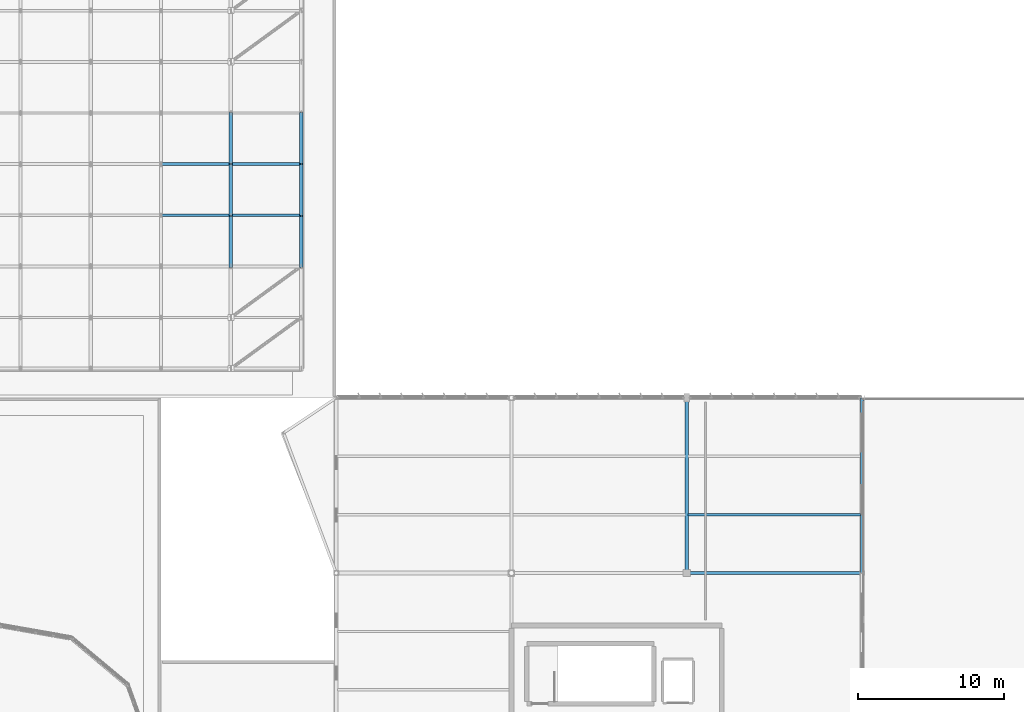
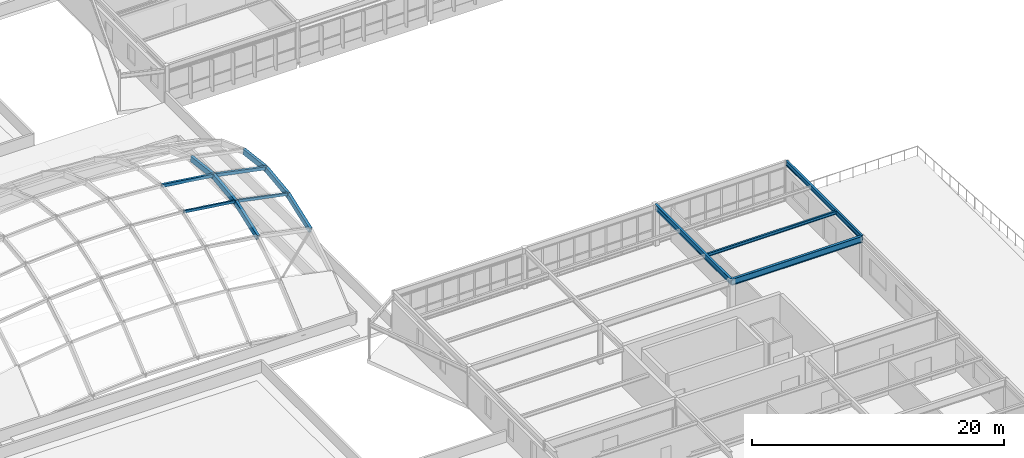
# One storey, part 59 of 128: 10 members, 4 beams.
"""IFC4 building model written with IfcOpenShell, lengths in metres."""

from ifc_helpers import new_model, si_unit, direction, frame, origin, origin_2d, place, context, subcontext, project, spatial, rectangle, hollow_rectangle, i_section, extrude, material, material_profile, profile_set, type_object, element, save


model = new_model("IFC4")

# Units and contexts
model_context = context("Model", 3, precision=1e-05, world=origin(), true_north=direction((0.0, 1.0)))
body_context = subcontext(model_context, "Body", "Model", "MODEL_VIEW")
ifc_project = project(units=[si_unit("LENGTHUNIT", "METRE"), si_unit("AREAUNIT", "SQUARE_METRE"), si_unit("VOLUMEUNIT", "CUBIC_METRE"), si_unit("PLANEANGLEUNIT", "RADIAN"), si_unit("MASSUNIT", "GRAM", prefix="KILO")], contexts=[model_context])

# Site, building, storey
site_placement = place(None, origin())
site = spatial("IfcSite", under=ifc_project, at=site_placement, CompositionType="ELEMENT")
building_placement = place(site_placement, origin())
building = spatial("IfcBuilding", under=site, at=building_placement, Name="Tarnwether General Hospital", CompositionType="ELEMENT")
storey_placement = place(building_placement, frame((0.0, 0.0, 14.39990234375)))
storey = spatial("IfcBuildingStorey", under=building, at=storey_placement, Name="L03", CompositionType="ELEMENT", Elevation=14.39990234375)

# Beams
ifc_material_1 = material(Name="Steel Grade 350 (350 MPa)", Category="steel")
ifc_material_profile_1 = material_profile(ifc_material_1, i_section(OverallWidth=0.22802734375, OverallDepth=0.60693359375, WebThickness=0.01123046875, FlangeThickness=0.017333984375, at=origin_2d()), Name="610UB113")
ifc_profile_set_1 = profile_set([ifc_material_profile_1], Name="Steel Grade 350 (350 MPa)")
beam_type_1 = type_object("IfcBeamType", Name="BM-G04", PredefinedType="BEAM", material=ifc_profile_set_1)
beam_1_placement = place(storey_placement, frame((168.0, 33.60009765625, 3.5966796875), z_axis=(1.0, 0.0, 0.0), x_axis=(0.0, 1.0, 0.0)))
element("IfcBeam", 1, at=beam_1_placement, inside=storey, type_object=beam_type_1, Name="Primary Girder BMG-L03-16800_3360-18000_3360-1795", PredefinedType="BEAM", context=body_context, shape_type="SweptSolid", body=[
    extrude(i_section(OverallWidth=0.22802734375, OverallDepth=0.60693359375, WebThickness=0.01123046875, FlangeThickness=0.017333984375, at=origin_2d()), origin(), (0.0, 0.0, 1.0), 12.0),
])
ifc_material_2 = material(Name="Steel Grade 350 (350 MPa)", Category="steel")
ifc_material_profile_2 = material_profile(ifc_material_2, i_section(OverallWidth=0.208984375, OverallDepth=0.528076171875, WebThickness=0.009521484375, FlangeThickness=0.01318359375, at=origin_2d()), Name="530UB82.0")
ifc_profile_set_2 = profile_set([ifc_material_profile_2], Name="Steel Grade 350 (350 MPa)")
beam_type_2 = type_object("IfcBeamType", Name="BM-G07", PredefinedType="BEAM", material=ifc_profile_set_2)
beam_2_placement = place(storey_placement, frame((168.0, 33.60009765625, 3.635986328125), z_axis=(0.0, 1.0, 0.0), x_axis=(-1.0, 0.0, 0.0)))
element("IfcBeam", 2, at=beam_2_placement, inside=storey, type_object=beam_type_2, Name="Primary Girder BMG-L03-16800_3360-16800_4560-1796", PredefinedType="BEAM", context=body_context, shape_type="SweptSolid", body=[
    extrude(i_section(OverallWidth=0.208984375, OverallDepth=0.528076171875, WebThickness=0.009521484375, FlangeThickness=0.01318359375, at=origin_2d()), origin(), (0.0, 0.0, 1.0), 12.0),
])
ifc_material_3 = material(Name="Steel Grade 350 (350 MPa)", Category="steel")
ifc_material_profile_3 = material_profile(ifc_material_3, i_section(OverallWidth=0.19091796875, OverallDepth=0.4599609375, WebThickness=0.010009765625, FlangeThickness=0.01611328125, at=origin_2d()), Name="460UB82.1")
ifc_profile_set_3 = profile_set([ifc_material_profile_3], Name="Steel Grade 350 (350 MPa)")
beam_type_3 = type_object("IfcBeamType", Name="BM-G08", PredefinedType="BEAM", material=ifc_profile_set_3)
beam_3_placement = place(storey_placement, frame((180.0, 33.60009765625, 3.670166015625), z_axis=(0.0, 1.0, 0.0), x_axis=(-1.0, 0.0, 0.0)))
element("IfcBeam", 3, at=beam_3_placement, inside=storey, type_object=beam_type_3, Name="Primary Girder BMG-L03-18000_3360-18000_4560-1809", PredefinedType="BEAM", context=body_context, shape_type="SweptSolid", body=[
    extrude(i_section(OverallWidth=0.19091796875, OverallDepth=0.4599609375, WebThickness=0.010009765625, FlangeThickness=0.01611328125, at=origin_2d()), origin(), (0.0, 0.0, 1.0), 12.0),
])
ifc_material_4 = material(Name="Steel Grade 350 (350 MPa)", Category="steel")
ifc_material_profile_4 = material_profile(ifc_material_4, i_section(OverallWidth=0.1650390625, OverallDepth=0.303955078125, WebThickness=0.006103515625, FlangeThickness=0.01025390625, at=origin_2d()), Name="310UB40.4")
ifc_profile_set_4 = profile_set([ifc_material_profile_4], Name="Steel Grade 350 (350 MPa)")
beam_type_4 = type_object("IfcBeamType", Name="BM-J07", PredefinedType="JOIST", material=ifc_profile_set_4)
beam_4_placement = place(storey_placement, frame((168.09912109375, 37.60009765625, 3.748046875), z_axis=(1.0, 0.0, 0.0), x_axis=(0.0, 1.0, 0.0)))
element("IfcBeam", 4, at=beam_4_placement, inside=storey, type_object=beam_type_4, Name="Composite Floor Joist BMG-L03-16810_3760-17991_3760-1846", PredefinedType="JOIST", context=body_context, shape_type="SweptSolid", body=[
    extrude(i_section(OverallWidth=0.1650390625, OverallDepth=0.303955078125, WebThickness=0.006103515625, FlangeThickness=0.01025390625, at=origin_2d()), origin(), (0.0, 0.0, 1.0), 11.811767578125),
])

# Members
ifc_material_5 = material(Name="Glulam GL12", Category="wood")
ifc_material_profile_5 = material_profile(ifc_material_5, rectangle(XDim=0.239990234375, YDim=0.5400390625, at=origin_2d()), Name="GL12-240x540")
ifc_profile_set_5 = profile_set([ifc_material_profile_5], Name="Glulam GL12")
member_type_1 = type_object("IfcMemberType", Name="MB-GS1", PredefinedType="CHORD", material=ifc_profile_set_5)
member_1_placement = place(storey_placement, frame((136.800048828125, 54.60009765625, 6.07958984375), z_axis=(0.0, 0.939584667872, 0.342316596003), x_axis=(-1.0, 0.0, 0.0)))
element("IfcMember", 5, at=member_1_placement, inside=storey, type_object=member_type_1, Name="Gridshell Glulam Arch Chord 051", PredefinedType="CHORD", context=body_context, shape_type="SweptSolid", body=[
    extrude(rectangle(XDim=0.239990234375, YDim=0.5400390625, at=origin_2d()), origin(), (0.0, 0.0, 1.0), 3.72509765625),
])
for number, where, z_axis, x_axis, name in (
    (6, (136.800048828125, 58.10009765625, 7.354736328125), (0.0, 0.992706434156, 0.120556773289), (-1.0, 0.0, 0.0), "Gridshell Glulam Arch Chord 052"),
    (7, (136.800048828125, 61.60009765625, 7.77978515625), (0.0, 0.992706434156, -0.120556773289), (-1.0, 0.0, 0.0), "Gridshell Glulam Arch Chord 053"),
):
    element("IfcMember", number, at=place(storey_placement, frame(where, z_axis=z_axis, x_axis=x_axis)), inside=storey, type_object=member_type_1, Name=name, PredefinedType="CHORD", context=body_context, shape_type="SweptSolid", body=[
        extrude(rectangle(XDim=0.239990234375, YDim=0.5400390625, at=origin_2d()), origin(), (0.0, 0.0, 1.0), 3.525634765625),
    ])
member_2_placement = place(storey_placement, frame((141.60009765625, 54.60009765625, 5.10009765625), z_axis=(0.0, 0.939605746622, 0.342258733877), x_axis=(-1.0, 0.0, 0.0)))
element("IfcMember", 8, at=member_2_placement, inside=storey, type_object=member_type_1, Name="Gridshell Glulam Arch Chord 059", PredefinedType="CHORD", context=body_context, shape_type="SweptSolid", body=[
    extrude(rectangle(XDim=0.239990234375, YDim=0.5400390625, at=origin_2d()), origin(), (0.0, 0.0, 1.0), 3.724853515625),
])
for number, where, z_axis, x_axis, name in (
    (9, (141.60009765625, 58.10009765625, 6.375), (0.0, 0.992706434156, 0.120556773289), (-1.0, 0.0, 0.0), "Gridshell Glulam Arch Chord 060"),
    (10, (141.60009765625, 61.60009765625, 6.800048828125), (0.0, 0.992706434156, -0.120556773289), (-1.0, 0.0, 0.0), "Gridshell Glulam Arch Chord 061"),
):
    element("IfcMember", number, at=place(storey_placement, frame(where, z_axis=z_axis, x_axis=x_axis)), inside=storey, type_object=member_type_1, Name=name, PredefinedType="CHORD", context=body_context, shape_type="SweptSolid", body=[
        extrude(rectangle(XDim=0.239990234375, YDim=0.5400390625, at=origin_2d()), origin(), (0.0, 0.0, 1.0), 3.525634765625),
    ])
ifc_material_6 = material(Name="Steel Grade C350L0 (350 MPa)", Category="steel")
ifc_material_profile_6 = material_profile(ifc_material_6, hollow_rectangle(XDim=0.199951171875, YDim=0.300048828125, WallThickness=0.012451171875, at=origin_2d()), Name="RHS300x200x12.5")
ifc_profile_set_6 = profile_set([ifc_material_profile_6], Name="Steel Grade C350L0 (350 MPa)")
member_type_2 = type_object("IfcMemberType", Name="MB-GS3", PredefinedType="CHORD", material=ifc_profile_set_6)
member_3_placement = place(storey_placement, frame((132.0, 61.60009765625, 8.542724609375), z_axis=(0.990870911369, 0.0, -0.134814083104), x_axis=(0.0, 1.0, 0.0)))
element("IfcMember", 11, at=member_3_placement, inside=storey, type_object=member_type_2, Name="Gridshell Steel Longitudinal Chord 098", PredefinedType="CHORD", context=body_context, shape_type="SweptSolid", body=[
    extrude(hollow_rectangle(XDim=0.199951171875, YDim=0.300048828125, WallThickness=0.012451171875, at=origin_2d()), origin(), (0.0, 0.0, 1.0), 4.84423828125),
])
member_4_placement = place(storey_placement, frame((136.800048828125, 61.60009765625, 7.8896484375), z_axis=(0.979808442283, 0.0, -0.199938531633), x_axis=(0.0, 1.0, 0.0)))
element("IfcMember", 12, at=member_4_placement, inside=storey, type_object=member_type_2, Name="Gridshell Steel Longitudinal Chord 099", PredefinedType="CHORD", context=body_context, shape_type="SweptSolid", body=[
    extrude(hollow_rectangle(XDim=0.199951171875, YDim=0.300048828125, WallThickness=0.012451171875, at=origin_2d()), origin(), (0.0, 0.0, 1.0), 4.89892578125),
])
ifc_material_7 = material(Name="Steel Grade C350L0 (350 MPa)", Category="steel")
ifc_material_profile_7 = material_profile(ifc_material_7, hollow_rectangle(XDim=0.14990234375, YDim=0.25, WallThickness=0.010009765625, at=origin_2d()), Name="RHS250x150x10")
ifc_profile_set_7 = profile_set([ifc_material_profile_7], Name="Steel Grade C350L0 (350 MPa)")
member_type_3 = type_object("IfcMemberType", Name="MB-GS4", PredefinedType="CHORD", material=ifc_profile_set_7)
member_5_placement = place(storey_placement, frame((132.0, 58.10009765625, 8.142822265625), z_axis=(0.990870911369, 0.0, -0.134814083104), x_axis=(0.0, 1.0, 0.0)))
element("IfcMember", 13, at=member_5_placement, inside=storey, type_object=member_type_3, Name="Gridshell Steel Longitudinal Chord 091", PredefinedType="CHORD", context=body_context, shape_type="SweptSolid", body=[
    extrude(hollow_rectangle(XDim=0.14990234375, YDim=0.25, WallThickness=0.010009765625, at=origin_2d()), origin(), (0.0, 0.0, 1.0), 4.84423828125),
])
member_6_placement = place(storey_placement, frame((136.800048828125, 58.10009765625, 7.48974609375), z_axis=(0.979798678438, 0.0, -0.199986373866), x_axis=(0.0, 1.0, 0.0)))
element("IfcMember", 14, at=member_6_placement, inside=storey, type_object=member_type_3, Name="Gridshell Steel Longitudinal Chord 092", PredefinedType="CHORD", context=body_context, shape_type="SweptSolid", body=[
    extrude(hollow_rectangle(XDim=0.14990234375, YDim=0.25, WallThickness=0.010009765625, at=origin_2d()), origin(), (0.0, 0.0, 1.0), 4.89892578125),
])

save(model, "model.ifc")
